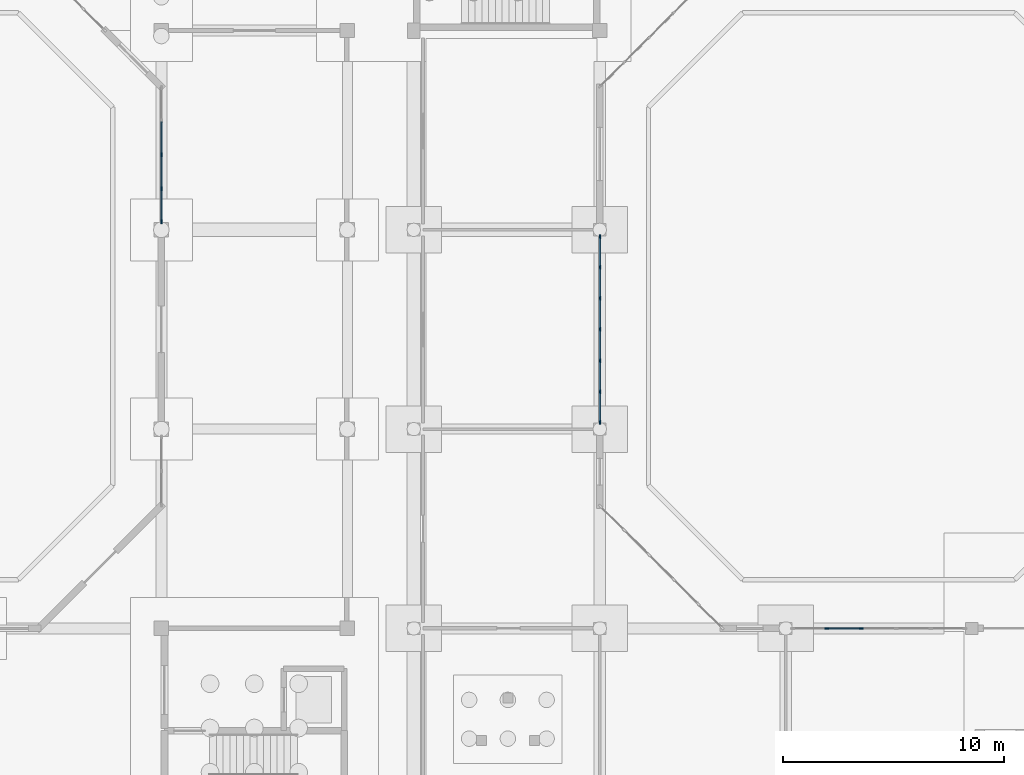
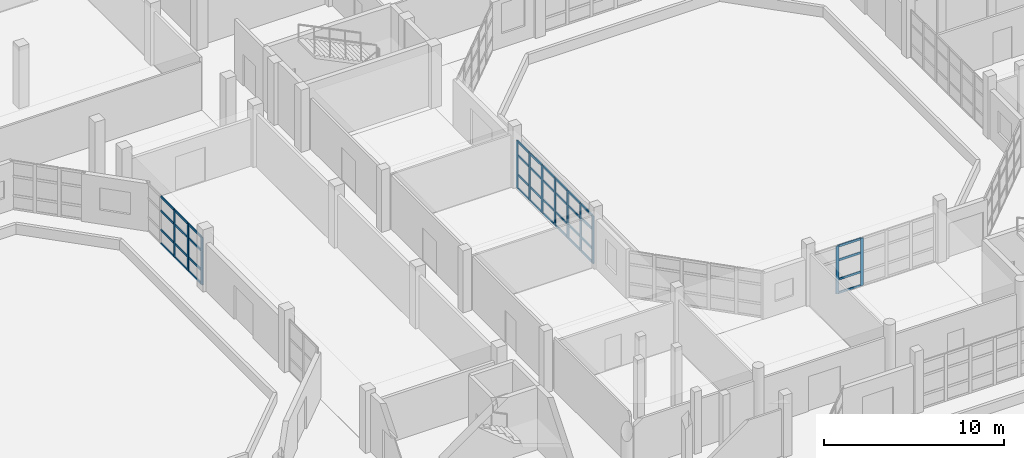
# One storey, part 26 of 88: 52 members, 3 elements without a shape of their own.
"""IFC4 building model written with IfcOpenShell, lengths in metres."""

from ifc_helpers import new_model, si_unit, direction, frame, origin, origin_2d, place, context, subcontext, project, spatial, rectangle, extrude, material, material_profile, profile_set, type_object, element, aggregate, save


model = new_model("IFC4")

# Units and contexts
model_context = context("Model", 3, precision=1e-05, world=origin(), true_north=direction((0.0, 1.0)))
body_context = subcontext(model_context, "Body", "Model", "MODEL_VIEW")
ifc_project = project(units=[si_unit("LENGTHUNIT", "METRE"), si_unit("AREAUNIT", "SQUARE_METRE"), si_unit("VOLUMEUNIT", "CUBIC_METRE"), si_unit("PLANEANGLEUNIT", "RADIAN"), si_unit("MASSUNIT", "GRAM", prefix="KILO")], contexts=[model_context])

# Site, building, storey
site_placement = place(None, origin())
site = spatial("IfcSite", under=ifc_project, at=site_placement, CompositionType="ELEMENT")
building_placement = place(site_placement, origin())
building = spatial("IfcBuilding", under=site, at=building_placement, Name="Vanh Quang Courtyard School", CompositionType="ELEMENT")
storey_placement = place(building_placement, origin())
storey = spatial("IfcBuildingStorey", under=building, at=storey_placement, Name="L00", CompositionType="ELEMENT", Elevation=0.0)

# Curtain wall, members
ifc_material_1 = material(Name="Thermally broken aluminium unitised curtain wall", Category="aluminium")
curtain_wall_type_1 = type_object("IfcCurtainWallType", Name="CW-SYS-13", PredefinedType="NOTDEFINED", material=ifc_material_1)
curtain_wall_1_placement = place(storey_placement, origin())
curtain_wall_1 = element("IfcCurtainWall", 1, at=curtain_wall_1_placement, inside=storey, type_object=curtain_wall_type_1, Name="Curtain Wall CW-13 (L00)", PredefinedType="NOTDEFINED")
ifc_material_2 = material(Name="Anodised aluminium 6063-T6", Category="aluminium")
ifc_material_profile_1 = material_profile(ifc_material_2, rectangle(XDim=0.070068359375, YDim=0.179931640625, at=origin_2d()), Name="ALU-MUL 70x180")
ifc_profile_set_1 = profile_set([ifc_material_profile_1], Name="Anodised aluminium 6063-T6")
member_type_1 = type_object("IfcMemberType", Name="CW-MUL-70x180", PredefinedType="MULLION", material=ifc_profile_set_1)
member_1_placement = place(storey_placement, frame((66.0, 59.76806640625, 0.0), z_axis=(0.0, 0.0, 1.0), x_axis=(-1.0, 0.0, 0.0)))
member_1 = element("IfcMember", 2, at=member_1_placement, type_object=member_type_1, Name="CW-13 mullion 1", PredefinedType="MULLION", context=body_context, shape_type="SweptSolid", body=[
    extrude(rectangle(XDim=0.070068359375, YDim=0.179931640625, at=origin_2d()), origin(), (0.0, 0.0, 1.0), 3.219970703125),
])
member_2_placement = place(storey_placement, frame((66.0, 61.263671875, 0.0), z_axis=(0.0, 0.0, 1.0), x_axis=(-1.0, 0.0, 0.0)))
member_2 = element("IfcMember", 3, at=member_2_placement, type_object=member_type_1, Name="CW-13 mullion 2", PredefinedType="MULLION", context=body_context, shape_type="SweptSolid", body=[
    extrude(rectangle(XDim=0.070068359375, YDim=0.179931640625, at=origin_2d()), origin(), (0.0, 0.0, 1.0), 3.219970703125),
])
member_3_placement = place(storey_placement, frame((66.0, 62.79443359375, 0.0), z_axis=(0.0, 0.0, 1.0), x_axis=(-1.0, 0.0, 0.0)))
member_3 = element("IfcMember", 4, at=member_3_placement, type_object=member_type_1, Name="CW-13 mullion 3", PredefinedType="MULLION", context=body_context, shape_type="SweptSolid", body=[
    extrude(rectangle(XDim=0.070068359375, YDim=0.179931640625, at=origin_2d()), origin(), (0.0, 0.0, 1.0), 3.219970703125),
])

curtain_wall_type_2 = type_object("IfcCurtainWallType", Name="CW-SYS-01", PredefinedType="NOTDEFINED", material=ifc_material_1)
curtain_wall_2_placement = place(storey_placement, origin())
curtain_wall_2 = element("IfcCurtainWall", 5, at=curtain_wall_2_placement, inside=storey, type_object=curtain_wall_type_2, Name="Curtain Wall CW-01 (L00)", PredefinedType="NOTDEFINED")
member_4_placement = place(storey_placement, frame((96.0498046875, 41.39990234375, 0.0), z_axis=(0.0, 0.0, 1.0), x_axis=(0.0, 1.0, 0.0)))
member_4 = element("IfcMember", 6, at=member_4_placement, type_object=member_type_1, Name="CW-01 mullion 2", PredefinedType="MULLION", context=body_context, shape_type="SweptSolid", body=[
    extrude(rectangle(XDim=0.070068359375, YDim=0.179931640625, at=origin_2d()), origin(), (0.0, 0.0, 1.0), 3.219970703125),
])
member_5_placement = place(storey_placement, frame((97.61669921875, 41.39990234375, 0.0), z_axis=(0.0, 0.0, 1.0), x_axis=(0.0, 1.0, 0.0)))
member_5 = element("IfcMember", 7, at=member_5_placement, type_object=member_type_1, Name="CW-01 mullion 3", PredefinedType="MULLION", context=body_context, shape_type="SweptSolid", body=[
    extrude(rectangle(XDim=0.070068359375, YDim=0.179931640625, at=origin_2d()), origin(), (0.0, 0.0, 1.0), 3.219970703125),
])

curtain_wall_type_3 = type_object("IfcCurtainWallType", Name="CW-SYS-18", PredefinedType="NOTDEFINED", material=ifc_material_1)
curtain_wall_3_placement = place(storey_placement, origin())
curtain_wall_3 = element("IfcCurtainWall", 8, at=curtain_wall_3_placement, inside=storey, type_object=curtain_wall_type_3, Name="Curtain Wall CW-18 (L00)", PredefinedType="NOTDEFINED")
member_6_placement = place(storey_placement, frame((85.800048828125, 59.08203125, 0.0), z_axis=(0.0, 0.0, 1.0), x_axis=(1.0, 0.0, 0.0)))
member_6 = element("IfcMember", 9, at=member_6_placement, type_object=member_type_1, Name="CW-18 mullion 1", PredefinedType="MULLION", context=body_context, shape_type="SweptSolid", body=[
    extrude(rectangle(XDim=0.070068359375, YDim=0.179931640625, at=origin_2d()), origin(), (0.0, 0.0, 1.0), 3.219970703125),
])
member_7_placement = place(storey_placement, frame((85.800048828125, 57.71142578125, 0.0), z_axis=(0.0, 0.0, 1.0), x_axis=(1.0, 0.0, 0.0)))
member_7 = element("IfcMember", 10, at=member_7_placement, type_object=member_type_1, Name="CW-18 mullion 2", PredefinedType="MULLION", context=body_context, shape_type="SweptSolid", body=[
    extrude(rectangle(XDim=0.070068359375, YDim=0.179931640625, at=origin_2d()), origin(), (0.0, 0.0, 1.0), 3.219970703125),
])
member_8_placement = place(storey_placement, frame((85.800048828125, 56.3056640625, 0.0), z_axis=(0.0, 0.0, 1.0), x_axis=(1.0, 0.0, 0.0)))
member_8 = element("IfcMember", 11, at=member_8_placement, type_object=member_type_1, Name="CW-18 mullion 3", PredefinedType="MULLION", context=body_context, shape_type="SweptSolid", body=[
    extrude(rectangle(XDim=0.070068359375, YDim=0.179931640625, at=origin_2d()), origin(), (0.0, 0.0, 1.0), 3.219970703125),
])
member_9_placement = place(storey_placement, frame((85.800048828125, 54.89990234375, 0.0), z_axis=(0.0, 0.0, 1.0), x_axis=(1.0, 0.0, 0.0)))
member_9 = element("IfcMember", 12, at=member_9_placement, type_object=member_type_1, Name="CW-18 mullion 4", PredefinedType="MULLION", context=body_context, shape_type="SweptSolid", body=[
    extrude(rectangle(XDim=0.070068359375, YDim=0.179931640625, at=origin_2d()), origin(), (0.0, 0.0, 1.0), 3.219970703125),
])
member_10_placement = place(storey_placement, frame((85.800048828125, 53.494384765625, 0.0), z_axis=(0.0, 0.0, 1.0), x_axis=(1.0, 0.0, 0.0)))
member_10 = element("IfcMember", 13, at=member_10_placement, type_object=member_type_1, Name="CW-18 mullion 5", PredefinedType="MULLION", context=body_context, shape_type="SweptSolid", body=[
    extrude(rectangle(XDim=0.070068359375, YDim=0.179931640625, at=origin_2d()), origin(), (0.0, 0.0, 1.0), 3.219970703125),
])
member_11_placement = place(storey_placement, frame((85.800048828125, 52.088623046875, 0.0), z_axis=(0.0, 0.0, 1.0), x_axis=(1.0, 0.0, 0.0)))
member_11 = element("IfcMember", 14, at=member_11_placement, type_object=member_type_1, Name="CW-18 mullion 6", PredefinedType="MULLION", context=body_context, shape_type="SweptSolid", body=[
    extrude(rectangle(XDim=0.070068359375, YDim=0.179931640625, at=origin_2d()), origin(), (0.0, 0.0, 1.0), 3.219970703125),
])
member_12_placement = place(storey_placement, frame((85.800048828125, 50.718017578125, 0.0), z_axis=(0.0, 0.0, 1.0), x_axis=(1.0, 0.0, 0.0)))
member_12 = element("IfcMember", 15, at=member_12_placement, type_object=member_type_1, Name="CW-18 mullion 7", PredefinedType="MULLION", context=body_context, shape_type="SweptSolid", body=[
    extrude(rectangle(XDim=0.070068359375, YDim=0.179931640625, at=origin_2d()), origin(), (0.0, 0.0, 1.0), 3.219970703125),
])

# Member
ifc_material_profile_2 = material_profile(ifc_material_2, rectangle(XDim=0.070068359375, YDim=0.139892578125, at=origin_2d()), Name="ALU-TRN 70x140")
ifc_profile_set_2 = profile_set([ifc_material_profile_2], Name="Anodised aluminium 6063-T6")
member_type_2 = type_object("IfcMemberType", Name="CW-TRN-70x140", PredefinedType="USERDEFINED", material=ifc_profile_set_2)
member_13_placement = place(storey_placement, frame((66.0, 59.802978515625, 0.034912109375), z_axis=(0.0, 1.0, 0.0), x_axis=(-1.0, 0.0, 0.0)))
member_13 = element("IfcMember", 16, at=member_13_placement, type_object=member_type_2, Name="CW-13 transom 1.1", ObjectType="TRANSOM", PredefinedType="USERDEFINED", context=body_context, shape_type="SweptSolid", body=[
    extrude(rectangle(XDim=0.070068359375, YDim=0.139892578125, at=origin_2d()), origin(), (0.0, 0.0, 1.0), 1.42578125),
])

member_14_placement = place(storey_placement, frame((66.0, 59.802978515625, 0.949951171875), z_axis=(0.0, 1.0, 0.0), x_axis=(-1.0, 0.0, 0.0)))
member_14 = element("IfcMember", 17, at=member_14_placement, type_object=member_type_2, Name="CW-13 transom 1.2", ObjectType="TRANSOM", PredefinedType="USERDEFINED", context=body_context, shape_type="SweptSolid", body=[
    extrude(rectangle(XDim=0.070068359375, YDim=0.139892578125, at=origin_2d()), origin(), (0.0, 0.0, 1.0), 1.42578125),
])

member_15_placement = place(storey_placement, frame((66.0, 59.802978515625, 2.25), z_axis=(0.0, 1.0, 0.0), x_axis=(-1.0, 0.0, 0.0)))
member_15 = element("IfcMember", 18, at=member_15_placement, type_object=member_type_2, Name="CW-13 transom 1.3", ObjectType="TRANSOM", PredefinedType="USERDEFINED", context=body_context, shape_type="SweptSolid", body=[
    extrude(rectangle(XDim=0.070068359375, YDim=0.139892578125, at=origin_2d()), origin(), (0.0, 0.0, 1.0), 1.42578125),
])

member_16_placement = place(storey_placement, frame((66.0, 59.802978515625, 3.18505859375), z_axis=(0.0, 1.0, 0.0), x_axis=(-1.0, 0.0, 0.0)))
member_16 = element("IfcMember", 19, at=member_16_placement, type_object=member_type_2, Name="CW-13 transom 1.4", ObjectType="TRANSOM", PredefinedType="USERDEFINED", context=body_context, shape_type="SweptSolid", body=[
    extrude(rectangle(XDim=0.070068359375, YDim=0.139892578125, at=origin_2d()), origin(), (0.0, 0.0, 1.0), 1.42578125),
])

member_17_placement = place(storey_placement, frame((66.0, 61.298828125, 0.034912109375), z_axis=(0.0, 1.0, 0.0), x_axis=(-1.0, 0.0, 0.0)))
member_17 = element("IfcMember", 20, at=member_17_placement, type_object=member_type_2, Name="CW-13 transom 2.1", ObjectType="TRANSOM", PredefinedType="USERDEFINED", context=body_context, shape_type="SweptSolid", body=[
    extrude(rectangle(XDim=0.070068359375, YDim=0.139892578125, at=origin_2d()), origin(), (0.0, 0.0, 1.0), 1.460693359375),
])

member_18_placement = place(storey_placement, frame((66.0, 61.298828125, 0.949951171875), z_axis=(0.0, 1.0, 0.0), x_axis=(-1.0, 0.0, 0.0)))
member_18 = element("IfcMember", 21, at=member_18_placement, type_object=member_type_2, Name="CW-13 transom 2.2", ObjectType="TRANSOM", PredefinedType="USERDEFINED", context=body_context, shape_type="SweptSolid", body=[
    extrude(rectangle(XDim=0.070068359375, YDim=0.139892578125, at=origin_2d()), origin(), (0.0, 0.0, 1.0), 1.460693359375),
])

member_19_placement = place(storey_placement, frame((66.0, 61.298828125, 2.25), z_axis=(0.0, 1.0, 0.0), x_axis=(-1.0, 0.0, 0.0)))
member_19 = element("IfcMember", 22, at=member_19_placement, type_object=member_type_2, Name="CW-13 transom 2.3", ObjectType="TRANSOM", PredefinedType="USERDEFINED", context=body_context, shape_type="SweptSolid", body=[
    extrude(rectangle(XDim=0.070068359375, YDim=0.139892578125, at=origin_2d()), origin(), (0.0, 0.0, 1.0), 1.460693359375),
])

member_20_placement = place(storey_placement, frame((66.0, 61.298828125, 3.18505859375), z_axis=(0.0, 1.0, 0.0), x_axis=(-1.0, 0.0, 0.0)))
member_20 = element("IfcMember", 23, at=member_20_placement, type_object=member_type_2, Name="CW-13 transom 2.4", ObjectType="TRANSOM", PredefinedType="USERDEFINED", context=body_context, shape_type="SweptSolid", body=[
    extrude(rectangle(XDim=0.070068359375, YDim=0.139892578125, at=origin_2d()), origin(), (0.0, 0.0, 1.0), 1.460693359375),
])

member_21_placement = place(storey_placement, frame((66.0, 62.82958984375, 0.034912109375), z_axis=(0.0, 1.0, 0.0), x_axis=(-1.0, 0.0, 0.0)))
member_21 = element("IfcMember", 24, at=member_21_placement, type_object=member_type_2, Name="CW-13 transom 3.1", ObjectType="TRANSOM", PredefinedType="USERDEFINED", context=body_context, shape_type="SweptSolid", body=[
    extrude(rectangle(XDim=0.070068359375, YDim=0.139892578125, at=origin_2d()), origin(), (0.0, 0.0, 1.0), 1.460693359375),
])

member_22_placement = place(storey_placement, frame((66.0, 62.82958984375, 0.949951171875), z_axis=(0.0, 1.0, 0.0), x_axis=(-1.0, 0.0, 0.0)))
member_22 = element("IfcMember", 25, at=member_22_placement, type_object=member_type_2, Name="CW-13 transom 3.2", ObjectType="TRANSOM", PredefinedType="USERDEFINED", context=body_context, shape_type="SweptSolid", body=[
    extrude(rectangle(XDim=0.070068359375, YDim=0.139892578125, at=origin_2d()), origin(), (0.0, 0.0, 1.0), 1.460693359375),
])

member_23_placement = place(storey_placement, frame((66.0, 62.82958984375, 2.25), z_axis=(0.0, 1.0, 0.0), x_axis=(-1.0, 0.0, 0.0)))
member_23 = element("IfcMember", 26, at=member_23_placement, type_object=member_type_2, Name="CW-13 transom 3.3", ObjectType="TRANSOM", PredefinedType="USERDEFINED", context=body_context, shape_type="SweptSolid", body=[
    extrude(rectangle(XDim=0.070068359375, YDim=0.139892578125, at=origin_2d()), origin(), (0.0, 0.0, 1.0), 1.460693359375),
])

member_24_placement = place(storey_placement, frame((66.0, 62.82958984375, 3.18505859375), z_axis=(0.0, 1.0, 0.0), x_axis=(-1.0, 0.0, 0.0)))
member_24 = element("IfcMember", 27, at=member_24_placement, type_object=member_type_2, Name="CW-13 transom 3.4", ObjectType="TRANSOM", PredefinedType="USERDEFINED", context=body_context, shape_type="SweptSolid", body=[
    extrude(rectangle(XDim=0.070068359375, YDim=0.139892578125, at=origin_2d()), origin(), (0.0, 0.0, 1.0), 1.460693359375),
])

aggregate(curtain_wall_1, [member_1, member_2, member_3, member_13, member_14, member_15, member_16, member_17, member_18, member_19, member_20, member_21, member_22, member_23, member_24])

member_25_placement = place(storey_placement, frame((96.084716796875, 41.39990234375, 0.034912109375), z_axis=(1.0, 0.0, 0.0), x_axis=(0.0, 1.0, 0.0)))
member_25 = element("IfcMember", 28, at=member_25_placement, type_object=member_type_2, Name="CW-01 transom 2.1", ObjectType="TRANSOM", PredefinedType="USERDEFINED", context=body_context, shape_type="SweptSolid", body=[
    extrude(rectangle(XDim=0.070068359375, YDim=0.139892578125, at=origin_2d()), origin(), (0.0, 0.0, 1.0), 1.496826171875),
])

member_26_placement = place(storey_placement, frame((96.084716796875, 41.39990234375, 0.949951171875), z_axis=(1.0, 0.0, 0.0), x_axis=(0.0, 1.0, 0.0)))
member_26 = element("IfcMember", 29, at=member_26_placement, type_object=member_type_2, Name="CW-01 transom 2.2", ObjectType="TRANSOM", PredefinedType="USERDEFINED", context=body_context, shape_type="SweptSolid", body=[
    extrude(rectangle(XDim=0.070068359375, YDim=0.139892578125, at=origin_2d()), origin(), (0.0, 0.0, 1.0), 1.496826171875),
])

member_27_placement = place(storey_placement, frame((96.084716796875, 41.39990234375, 2.25), z_axis=(1.0, 0.0, 0.0), x_axis=(0.0, 1.0, 0.0)))
member_27 = element("IfcMember", 30, at=member_27_placement, type_object=member_type_2, Name="CW-01 transom 2.3", ObjectType="TRANSOM", PredefinedType="USERDEFINED", context=body_context, shape_type="SweptSolid", body=[
    extrude(rectangle(XDim=0.070068359375, YDim=0.139892578125, at=origin_2d()), origin(), (0.0, 0.0, 1.0), 1.496826171875),
])

member_28_placement = place(storey_placement, frame((96.084716796875, 41.39990234375, 3.18505859375), z_axis=(1.0, 0.0, 0.0), x_axis=(0.0, 1.0, 0.0)))
member_28 = element("IfcMember", 31, at=member_28_placement, type_object=member_type_2, Name="CW-01 transom 2.4", ObjectType="TRANSOM", PredefinedType="USERDEFINED", context=body_context, shape_type="SweptSolid", body=[
    extrude(rectangle(XDim=0.070068359375, YDim=0.139892578125, at=origin_2d()), origin(), (0.0, 0.0, 1.0), 1.496826171875),
])

aggregate(curtain_wall_2, [member_4, member_5, member_25, member_26, member_27, member_28])

member_29_placement = place(storey_placement, frame((85.800048828125, 59.047119140625, 0.034912109375), z_axis=(0.0, -1.0, 0.0), x_axis=(1.0, 0.0, 0.0)))
member_29 = element("IfcMember", 32, at=member_29_placement, type_object=member_type_2, Name="CW-18 transom 1.1", ObjectType="TRANSOM", PredefinedType="USERDEFINED", context=body_context, shape_type="SweptSolid", body=[
    extrude(rectangle(XDim=0.070068359375, YDim=0.139892578125, at=origin_2d()), origin(), (0.0, 0.0, 1.0), 1.30078125),
])

member_30_placement = place(storey_placement, frame((85.800048828125, 59.047119140625, 0.949951171875), z_axis=(0.0, -1.0, 0.0), x_axis=(1.0, 0.0, 0.0)))
member_30 = element("IfcMember", 33, at=member_30_placement, type_object=member_type_2, Name="CW-18 transom 1.2", ObjectType="TRANSOM", PredefinedType="USERDEFINED", context=body_context, shape_type="SweptSolid", body=[
    extrude(rectangle(XDim=0.070068359375, YDim=0.139892578125, at=origin_2d()), origin(), (0.0, 0.0, 1.0), 1.30078125),
])

member_31_placement = place(storey_placement, frame((85.800048828125, 59.047119140625, 2.25), z_axis=(0.0, -1.0, 0.0), x_axis=(1.0, 0.0, 0.0)))
member_31 = element("IfcMember", 34, at=member_31_placement, type_object=member_type_2, Name="CW-18 transom 1.3", ObjectType="TRANSOM", PredefinedType="USERDEFINED", context=body_context, shape_type="SweptSolid", body=[
    extrude(rectangle(XDim=0.070068359375, YDim=0.139892578125, at=origin_2d()), origin(), (0.0, 0.0, 1.0), 1.30078125),
])

member_32_placement = place(storey_placement, frame((85.800048828125, 59.047119140625, 3.18505859375), z_axis=(0.0, -1.0, 0.0), x_axis=(1.0, 0.0, 0.0)))
member_32 = element("IfcMember", 35, at=member_32_placement, type_object=member_type_2, Name="CW-18 transom 1.4", ObjectType="TRANSOM", PredefinedType="USERDEFINED", context=body_context, shape_type="SweptSolid", body=[
    extrude(rectangle(XDim=0.070068359375, YDim=0.139892578125, at=origin_2d()), origin(), (0.0, 0.0, 1.0), 1.30078125),
])

member_33_placement = place(storey_placement, frame((85.800048828125, 57.67626953125, 0.034912109375), z_axis=(0.0, -1.0, 0.0), x_axis=(1.0, 0.0, 0.0)))
member_33 = element("IfcMember", 36, at=member_33_placement, type_object=member_type_2, Name="CW-18 transom 2.1", ObjectType="TRANSOM", PredefinedType="USERDEFINED", context=body_context, shape_type="SweptSolid", body=[
    extrude(rectangle(XDim=0.070068359375, YDim=0.139892578125, at=origin_2d()), origin(), (0.0, 0.0, 1.0), 1.335693359375),
])

member_34_placement = place(storey_placement, frame((85.800048828125, 57.67626953125, 0.949951171875), z_axis=(0.0, -1.0, 0.0), x_axis=(1.0, 0.0, 0.0)))
member_34 = element("IfcMember", 37, at=member_34_placement, type_object=member_type_2, Name="CW-18 transom 2.2", ObjectType="TRANSOM", PredefinedType="USERDEFINED", context=body_context, shape_type="SweptSolid", body=[
    extrude(rectangle(XDim=0.070068359375, YDim=0.139892578125, at=origin_2d()), origin(), (0.0, 0.0, 1.0), 1.335693359375),
])

member_35_placement = place(storey_placement, frame((85.800048828125, 57.67626953125, 2.25), z_axis=(0.0, -1.0, 0.0), x_axis=(1.0, 0.0, 0.0)))
member_35 = element("IfcMember", 38, at=member_35_placement, type_object=member_type_2, Name="CW-18 transom 2.3", ObjectType="TRANSOM", PredefinedType="USERDEFINED", context=body_context, shape_type="SweptSolid", body=[
    extrude(rectangle(XDim=0.070068359375, YDim=0.139892578125, at=origin_2d()), origin(), (0.0, 0.0, 1.0), 1.335693359375),
])

member_36_placement = place(storey_placement, frame((85.800048828125, 57.67626953125, 3.18505859375), z_axis=(0.0, -1.0, 0.0), x_axis=(1.0, 0.0, 0.0)))
member_36 = element("IfcMember", 39, at=member_36_placement, type_object=member_type_2, Name="CW-18 transom 2.4", ObjectType="TRANSOM", PredefinedType="USERDEFINED", context=body_context, shape_type="SweptSolid", body=[
    extrude(rectangle(XDim=0.070068359375, YDim=0.139892578125, at=origin_2d()), origin(), (0.0, 0.0, 1.0), 1.335693359375),
])

member_37_placement = place(storey_placement, frame((85.800048828125, 56.270751953125, 0.034912109375), z_axis=(0.0, -1.0, 0.0), x_axis=(1.0, 0.0, 0.0)))
member_37 = element("IfcMember", 40, at=member_37_placement, type_object=member_type_2, Name="CW-18 transom 3.1", ObjectType="TRANSOM", PredefinedType="USERDEFINED", context=body_context, shape_type="SweptSolid", body=[
    extrude(rectangle(XDim=0.070068359375, YDim=0.139892578125, at=origin_2d()), origin(), (0.0, 0.0, 1.0), 1.335693359375),
])

member_38_placement = place(storey_placement, frame((85.800048828125, 56.270751953125, 0.949951171875), z_axis=(0.0, -1.0, 0.0), x_axis=(1.0, 0.0, 0.0)))
member_38 = element("IfcMember", 41, at=member_38_placement, type_object=member_type_2, Name="CW-18 transom 3.2", ObjectType="TRANSOM", PredefinedType="USERDEFINED", context=body_context, shape_type="SweptSolid", body=[
    extrude(rectangle(XDim=0.070068359375, YDim=0.139892578125, at=origin_2d()), origin(), (0.0, 0.0, 1.0), 1.335693359375),
])

member_39_placement = place(storey_placement, frame((85.800048828125, 56.270751953125, 2.25), z_axis=(0.0, -1.0, 0.0), x_axis=(1.0, 0.0, 0.0)))
member_39 = element("IfcMember", 42, at=member_39_placement, type_object=member_type_2, Name="CW-18 transom 3.3", ObjectType="TRANSOM", PredefinedType="USERDEFINED", context=body_context, shape_type="SweptSolid", body=[
    extrude(rectangle(XDim=0.070068359375, YDim=0.139892578125, at=origin_2d()), origin(), (0.0, 0.0, 1.0), 1.335693359375),
])

member_40_placement = place(storey_placement, frame((85.800048828125, 56.270751953125, 3.18505859375), z_axis=(0.0, -1.0, 0.0), x_axis=(1.0, 0.0, 0.0)))
member_40 = element("IfcMember", 43, at=member_40_placement, type_object=member_type_2, Name="CW-18 transom 3.4", ObjectType="TRANSOM", PredefinedType="USERDEFINED", context=body_context, shape_type="SweptSolid", body=[
    extrude(rectangle(XDim=0.070068359375, YDim=0.139892578125, at=origin_2d()), origin(), (0.0, 0.0, 1.0), 1.335693359375),
])

member_41_placement = place(storey_placement, frame((85.800048828125, 54.864990234375, 0.034912109375), z_axis=(0.0, -1.0, 0.0), x_axis=(1.0, 0.0, 0.0)))
member_41 = element("IfcMember", 44, at=member_41_placement, type_object=member_type_2, Name="CW-18 transom 4.1", ObjectType="TRANSOM", PredefinedType="USERDEFINED", context=body_context, shape_type="SweptSolid", body=[
    extrude(rectangle(XDim=0.070068359375, YDim=0.139892578125, at=origin_2d()), origin(), (0.0, 0.0, 1.0), 1.335693359375),
])

member_42_placement = place(storey_placement, frame((85.800048828125, 54.864990234375, 0.949951171875), z_axis=(0.0, -1.0, 0.0), x_axis=(1.0, 0.0, 0.0)))
member_42 = element("IfcMember", 45, at=member_42_placement, type_object=member_type_2, Name="CW-18 transom 4.2", ObjectType="TRANSOM", PredefinedType="USERDEFINED", context=body_context, shape_type="SweptSolid", body=[
    extrude(rectangle(XDim=0.070068359375, YDim=0.139892578125, at=origin_2d()), origin(), (0.0, 0.0, 1.0), 1.335693359375),
])

member_43_placement = place(storey_placement, frame((85.800048828125, 54.864990234375, 2.25), z_axis=(0.0, -1.0, 0.0), x_axis=(1.0, 0.0, 0.0)))
member_43 = element("IfcMember", 46, at=member_43_placement, type_object=member_type_2, Name="CW-18 transom 4.3", ObjectType="TRANSOM", PredefinedType="USERDEFINED", context=body_context, shape_type="SweptSolid", body=[
    extrude(rectangle(XDim=0.070068359375, YDim=0.139892578125, at=origin_2d()), origin(), (0.0, 0.0, 1.0), 1.335693359375),
])

member_44_placement = place(storey_placement, frame((85.800048828125, 54.864990234375, 3.18505859375), z_axis=(0.0, -1.0, 0.0), x_axis=(1.0, 0.0, 0.0)))
member_44 = element("IfcMember", 47, at=member_44_placement, type_object=member_type_2, Name="CW-18 transom 4.4", ObjectType="TRANSOM", PredefinedType="USERDEFINED", context=body_context, shape_type="SweptSolid", body=[
    extrude(rectangle(XDim=0.070068359375, YDim=0.139892578125, at=origin_2d()), origin(), (0.0, 0.0, 1.0), 1.335693359375),
])

member_45_placement = place(storey_placement, frame((85.800048828125, 53.459228515625, 0.034912109375), z_axis=(0.0, -1.0, 0.0), x_axis=(1.0, 0.0, 0.0)))
member_45 = element("IfcMember", 48, at=member_45_placement, type_object=member_type_2, Name="CW-18 transom 5.1", ObjectType="TRANSOM", PredefinedType="USERDEFINED", context=body_context, shape_type="SweptSolid", body=[
    extrude(rectangle(XDim=0.070068359375, YDim=0.139892578125, at=origin_2d()), origin(), (0.0, 0.0, 1.0), 1.33544921875),
])

member_46_placement = place(storey_placement, frame((85.800048828125, 53.459228515625, 0.949951171875), z_axis=(0.0, -1.0, 0.0), x_axis=(1.0, 0.0, 0.0)))
member_46 = element("IfcMember", 49, at=member_46_placement, type_object=member_type_2, Name="CW-18 transom 5.2", ObjectType="TRANSOM", PredefinedType="USERDEFINED", context=body_context, shape_type="SweptSolid", body=[
    extrude(rectangle(XDim=0.070068359375, YDim=0.139892578125, at=origin_2d()), origin(), (0.0, 0.0, 1.0), 1.33544921875),
])

member_47_placement = place(storey_placement, frame((85.800048828125, 53.459228515625, 2.25), z_axis=(0.0, -1.0, 0.0), x_axis=(1.0, 0.0, 0.0)))
member_47 = element("IfcMember", 50, at=member_47_placement, type_object=member_type_2, Name="CW-18 transom 5.3", ObjectType="TRANSOM", PredefinedType="USERDEFINED", context=body_context, shape_type="SweptSolid", body=[
    extrude(rectangle(XDim=0.070068359375, YDim=0.139892578125, at=origin_2d()), origin(), (0.0, 0.0, 1.0), 1.33544921875),
])

member_48_placement = place(storey_placement, frame((85.800048828125, 53.459228515625, 3.18505859375), z_axis=(0.0, -1.0, 0.0), x_axis=(1.0, 0.0, 0.0)))
member_48 = element("IfcMember", 51, at=member_48_placement, type_object=member_type_2, Name="CW-18 transom 5.4", ObjectType="TRANSOM", PredefinedType="USERDEFINED", context=body_context, shape_type="SweptSolid", body=[
    extrude(rectangle(XDim=0.070068359375, YDim=0.139892578125, at=origin_2d()), origin(), (0.0, 0.0, 1.0), 1.33544921875),
])

member_49_placement = place(storey_placement, frame((85.800048828125, 52.0537109375, 0.034912109375), z_axis=(0.0, -1.0, 0.0), x_axis=(1.0, 0.0, 0.0)))
member_49 = element("IfcMember", 52, at=member_49_placement, type_object=member_type_2, Name="CW-18 transom 6.1", ObjectType="TRANSOM", PredefinedType="USERDEFINED", context=body_context, shape_type="SweptSolid", body=[
    extrude(rectangle(XDim=0.070068359375, YDim=0.139892578125, at=origin_2d()), origin(), (0.0, 0.0, 1.0), 1.30078125),
])

member_50_placement = place(storey_placement, frame((85.800048828125, 52.0537109375, 0.949951171875), z_axis=(0.0, -1.0, 0.0), x_axis=(1.0, 0.0, 0.0)))
member_50 = element("IfcMember", 53, at=member_50_placement, type_object=member_type_2, Name="CW-18 transom 6.2", ObjectType="TRANSOM", PredefinedType="USERDEFINED", context=body_context, shape_type="SweptSolid", body=[
    extrude(rectangle(XDim=0.070068359375, YDim=0.139892578125, at=origin_2d()), origin(), (0.0, 0.0, 1.0), 1.30078125),
])

member_51_placement = place(storey_placement, frame((85.800048828125, 52.0537109375, 2.25), z_axis=(0.0, -1.0, 0.0), x_axis=(1.0, 0.0, 0.0)))
member_51 = element("IfcMember", 54, at=member_51_placement, type_object=member_type_2, Name="CW-18 transom 6.3", ObjectType="TRANSOM", PredefinedType="USERDEFINED", context=body_context, shape_type="SweptSolid", body=[
    extrude(rectangle(XDim=0.070068359375, YDim=0.139892578125, at=origin_2d()), origin(), (0.0, 0.0, 1.0), 1.30078125),
])

member_52_placement = place(storey_placement, frame((85.800048828125, 52.0537109375, 3.18505859375), z_axis=(0.0, -1.0, 0.0), x_axis=(1.0, 0.0, 0.0)))
member_52 = element("IfcMember", 55, at=member_52_placement, type_object=member_type_2, Name="CW-18 transom 6.4", ObjectType="TRANSOM", PredefinedType="USERDEFINED", context=body_context, shape_type="SweptSolid", body=[
    extrude(rectangle(XDim=0.070068359375, YDim=0.139892578125, at=origin_2d()), origin(), (0.0, 0.0, 1.0), 1.30078125),
])

aggregate(curtain_wall_3, [member_6, member_7, member_8, member_9, member_10, member_11, member_12, member_29, member_30, member_31, member_32, member_33, member_34, member_35, member_36, member_37, member_38, member_39, member_40, member_41, member_42, member_43, member_44, member_45, member_46, member_47, member_48, member_49, member_50, member_51, member_52])

save(model, "model.ifc")
